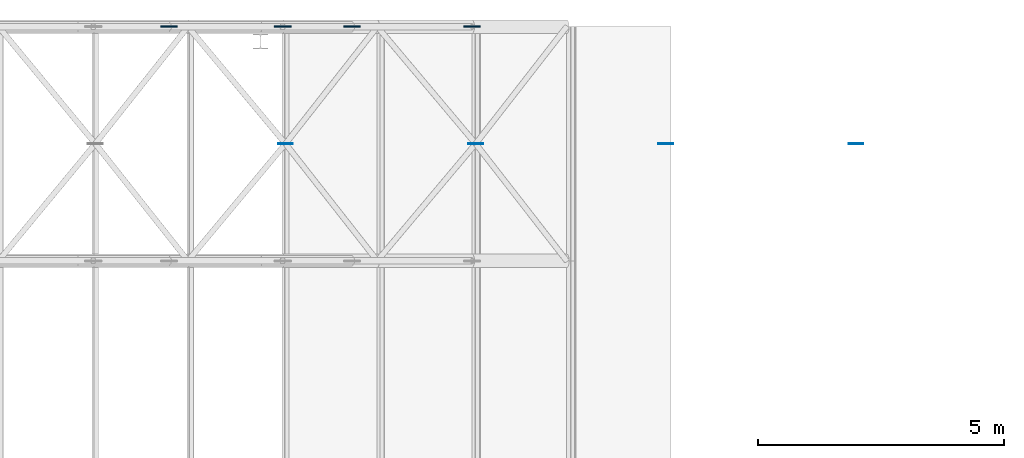
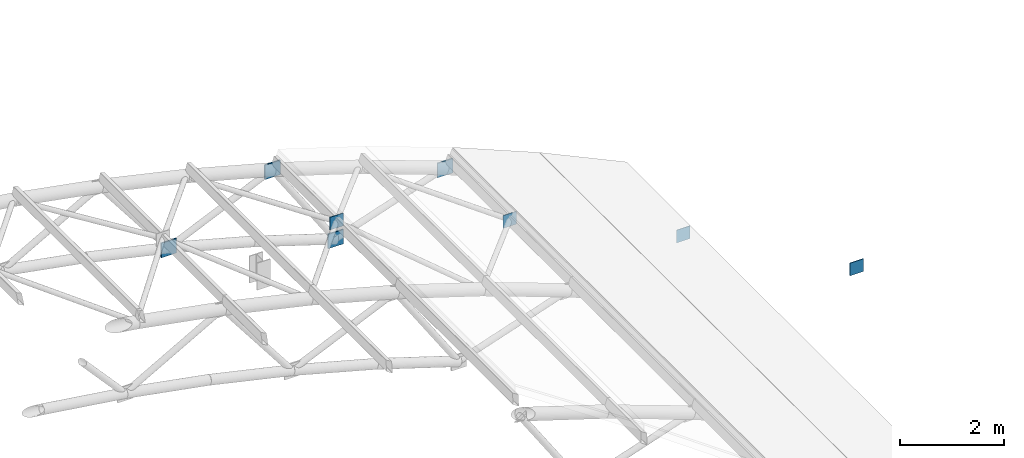
# One storey, part 16 of 22: 8 discrete accessories.
"""IFC4 building model written with IfcOpenShell, lengths in metres."""

from ifc_helpers import new_model, si_unit, direction, frame, origin, origin_2d, place, context, subcontext, project, spatial, rectangle, extrude, material, layer, layer_set, type_object, element, save


model = new_model("IFC4")

# Units and contexts
model_context = context("Model", 3, precision=1e-05, world=origin(), true_north=direction((0.0, 1.0)))
body_context = subcontext(model_context, "Body", "Model", "MODEL_VIEW")
ifc_project = project(units=[si_unit("LENGTHUNIT", "METRE"), si_unit("AREAUNIT", "SQUARE_METRE"), si_unit("VOLUMEUNIT", "CUBIC_METRE"), si_unit("PLANEANGLEUNIT", "RADIAN"), si_unit("MASSUNIT", "GRAM", prefix="KILO")], contexts=[model_context])

# Site, building, storey
site_placement = place(None, origin())
site = spatial("IfcSite", under=ifc_project, at=site_placement, CompositionType="ELEMENT")
building_placement = place(site_placement, origin())
building = spatial("IfcBuilding", under=site, at=building_placement, Name="Elbe Cascade School", CompositionType="ELEMENT")
storey_placement = place(building_placement, frame((0.0, 0.0, 18.89990234375)))
storey = spatial("IfcBuildingStorey", under=building, at=storey_placement, Name="R05", CompositionType="ELEMENT", Elevation=18.89990234375)

# Discrete accessories
ifc_material_1 = material(Name="Steel S355J2", Category="steel")
ifc_layer_1 = layer(ifc_material_1, 0.011962890625)
ifc_layer_set_1 = layer_set([ifc_layer_1], Name="Steel S355J2")
discrete_accessory_type_1 = type_object("IfcDiscreteAccessoryType", Name="Brace gusset plate 12 mm", PredefinedType="BRACKET", material=ifc_layer_set_1)
for number, where, z_axis, x_axis, name in (
    (1, (47.5078125, 67.125, 2.4111328125), (0.0, 0.0, 1.0), (1.0, 0.0, 0.0), "Brace gusset plate 12 mm AC2"),
    (2, (51.3671875, 67.125, 1.1005859375), (0.0, 0.0, 1.0), (1.0, 0.0, 0.0), "Brace gusset plate 12 mm AC2"),
    (3, (55.2265625, 67.125, -0.59326171875), (0.0, 0.0, 1.0), (1.0, 0.0, 0.0), "Brace gusset plate 12 mm AC2"),
    (4, (59.0859375, 67.125, -2.71875), (0.0, 0.0, 1.0), (1.0, 0.0, 0.0), "Brace gusset plate 12 mm AC2"),
):
    element("IfcDiscreteAccessory", number, at=place(storey_placement, frame(where, z_axis=z_axis, x_axis=x_axis)), inside=storey, type_object=discrete_accessory_type_1, Name=name, PredefinedType="BRACKET", context=body_context, shape_type="SweptSolid", body=[
        extrude(rectangle(XDim=0.300048828125, YDim=0.011962890625, at=origin_2d()), origin(), (0.0, 0.0, 1.0), 0.300048828125),
    ])
ifc_material_2 = material(Name="Steel S355J2", Category="steel")
ifc_layer_2 = layer(ifc_material_2, 0.030029296875)
ifc_layer_set_2 = layer_set([ifc_layer_2], Name="Steel S355J2")
discrete_accessory_type_2 = type_object("IfcDiscreteAccessoryType", Name="Truss node connection", PredefinedType="BRACKET", material=ifc_layer_set_2)
for number, where, z_axis, x_axis, name in (
    (5, (45.142822265625, 69.5, 1.15966796875), (0.0, 0.0, 1.0), (1.0, 0.0, 0.0), "Truss node connection AC1"),
    (6, (48.857177734375, 69.5, 0.07080078125), (0.0, 0.0, 1.0), (1.0, 0.0, 0.0), "Truss node connection AC1"),
    (7, (47.44970703125, 69.5, 2.19287109375), (0.0, 0.0, 1.0), (1.0, 0.0, 0.0), "Truss node connection AC1"),
    (8, (51.29248046875, 69.5, 0.88818359375), (0.0, 0.0, 1.0), (1.0, 0.0, 0.0), "Truss node connection AC1"),
):
    element("IfcDiscreteAccessory", number, at=place(storey_placement, frame(where, z_axis=z_axis, x_axis=x_axis)), inside=storey, type_object=discrete_accessory_type_2, Name=name, PredefinedType="BRACKET", context=body_context, shape_type="SweptSolid", body=[
        extrude(rectangle(XDim=0.340087890625, YDim=0.030029296875, at=origin_2d()), origin(), (0.0, 0.0, 1.0), 0.340087890625),
    ])

save(model, "model.ifc")
